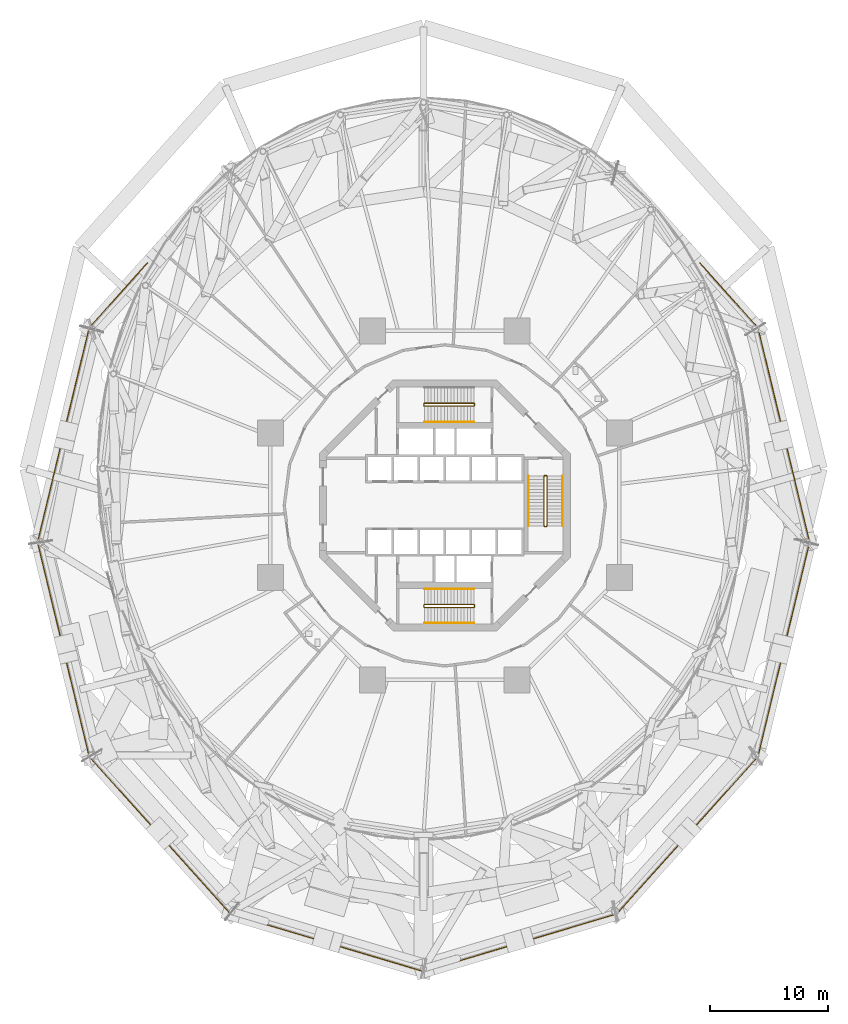
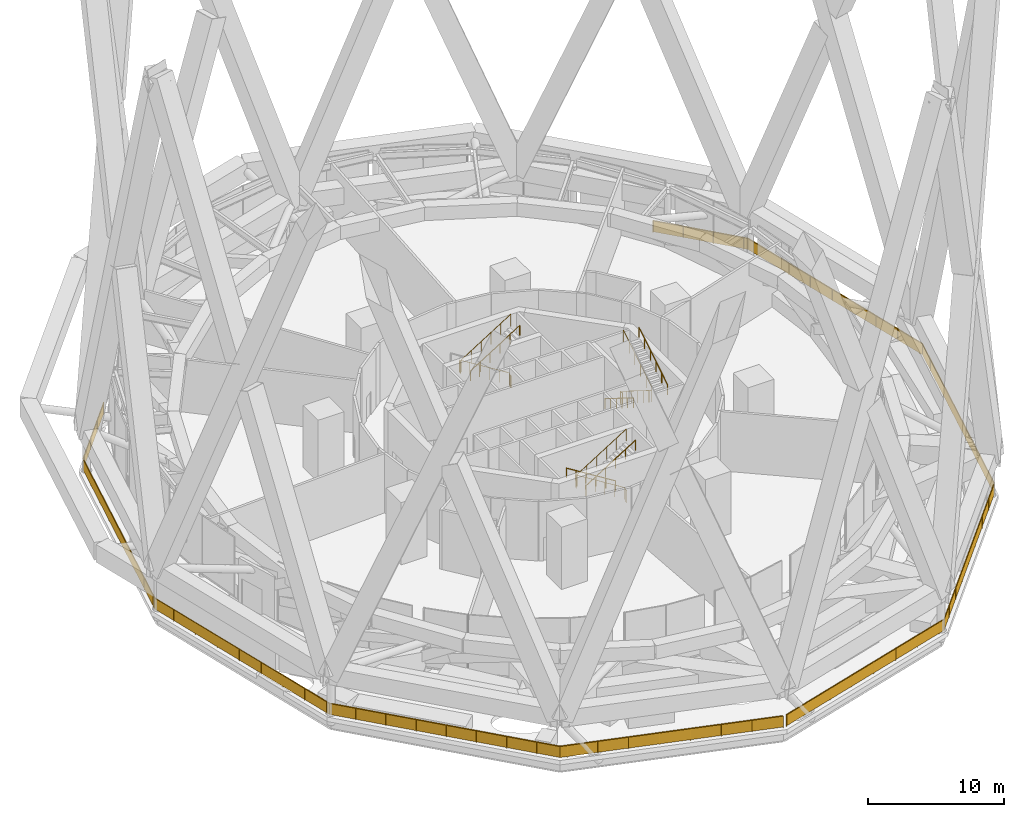
# One storey, part 63 of 65: 10 railings.
"""IFC4 building model written with IfcOpenShell, lengths in metres."""

from ifc_helpers import new_model, si_unit, direction, frame, origin, origin_2d, place, context, subcontext, project, spatial, polyline, rectangle, circle, outline, extrude, material, type_object, element, save


model = new_model("IFC4")

# Units and contexts
model_context = context("Model", 3, precision=1e-05, world=origin(), true_north=direction((0.0, 1.0)))
body_context = subcontext(model_context, "Body", "Model", "MODEL_VIEW")
ifc_project = project(units=[si_unit("LENGTHUNIT", "METRE"), si_unit("AREAUNIT", "SQUARE_METRE"), si_unit("VOLUMEUNIT", "CUBIC_METRE"), si_unit("PLANEANGLEUNIT", "RADIAN"), si_unit("MASSUNIT", "GRAM", prefix="KILO")], contexts=[model_context])

# Site, building, storey
site_placement = place(None, origin())
site = spatial("IfcSite", under=ifc_project, at=site_placement, CompositionType="ELEMENT")
building_placement = place(site_placement, origin())
building = spatial("IfcBuilding", under=site, at=building_placement, Name="Nagisa Residences", CompositionType="ELEMENT")
storey_placement = place(building_placement, frame((0.0, 0.0, 114.0)))
storey = spatial("IfcBuildingStorey", under=building, at=storey_placement, Name="L28", CompositionType="ELEMENT", Elevation=114.0)

# Railings
ifc_material_1 = material(Name="Stainless steel 316", Category="steel")
railing_type_1 = type_object("IfcRailingType", Name="ROOF GUARD 1100", PredefinedType="GUARDRAIL", material=ifc_material_1)
railing_1_placement = place(storey_placement, frame((-1.94384765625, -39.4306640625, 0.0)))
element("IfcRailing", 1, at=railing_1_placement, inside=storey, type_object=railing_type_1, Name="guard:L28:deck00-0", PredefinedType="GUARDRAIL", context=body_context, shape_type="SweptSolid", body=[
    extrude(outline(polyline([(-16.2265625, 4.812255859375), (-0.007080078125, -0.02392578125), (0.007080078125, 0.02392578125), (-16.19873046875, 4.856201171875), (-28.15087890625, 18.157470703125), (-32.522705078125, 36.31298828125), (-28.15087890625, 54.468505859375), (-23.2373046875, 59.936767578125), (-23.2744140625, 59.970458984375), (-28.19677734375, 54.492431640625), (-32.573974609375, 36.31298828125), (-28.19677734375, 18.133544921875), (-16.2265625, 4.812255859375)])), frame((0.0, 0.0, 1.050048828125)), (0.0, 0.0, 1.0), 0.050048828125),
    extrude(outline(polyline([(-16.216552734375, 4.828125), (-0.001953125, -0.006591796875), (0.001953125, 0.006591796875), (-16.208740234375, 4.84033203125), (-28.16748046875, 18.14892578125), (-32.541259765625, 36.31298828125), (-28.16748046875, 54.47705078125), (-23.250732421875, 59.948974609375), (-23.260986328125, 59.958251953125), (-28.18017578125, 54.48388671875), (-32.555419921875, 36.31298828125), (-28.18017578125, 18.14208984375), (-16.216552734375, 4.828125)])), frame((0.0, 0.0, 0.06005859375)), (0.0, 0.0, 1.0), 0.989990234375),
    extrude(rectangle(XDim=0.0400390625, YDim=0.0400390625, at=origin_2d()), origin(), (0.0, 0.0, 1.0), 1.050048828125),
    extrude(rectangle(XDim=0.0400390625, YDim=0.0400390625, at=origin_2d()), frame((-2.241943359375, 0.66845703125, 0.0)), (0.0, 0.0, 1.0), 1.050048828125),
    extrude(rectangle(XDim=0.0400390625, YDim=0.0400390625, at=origin_2d()), frame((-4.484130859375, 1.337158203125, 0.0)), (0.0, 0.0, 1.0), 1.050048828125),
    extrude(rectangle(XDim=0.0400390625, YDim=0.0400390625, at=origin_2d()), frame((-6.72607421875, 2.005615234375, 0.0)), (0.0, 0.0, 1.0), 1.050048828125),
    extrude(rectangle(XDim=0.0400390625, YDim=0.0400390625, at=origin_2d()), frame((-8.968017578125, 2.674072265625, 0.0)), (0.0, 0.0, 1.0), 1.050048828125),
    extrude(rectangle(XDim=0.0400390625, YDim=0.0400390625, at=origin_2d()), frame((-11.210205078125, 3.342529296875, 0.0)), (0.0, 0.0, 1.0), 1.050048828125),
    extrude(rectangle(XDim=0.0400390625, YDim=0.0400390625, at=origin_2d()), frame((-13.4521484375, 4.01123046875, 0.0)), (0.0, 0.0, 1.0), 1.050048828125),
    extrude(rectangle(XDim=0.0400390625, YDim=0.0400390625, at=origin_2d()), frame((-15.694091796875, 4.6796875, 0.0)), (0.0, 0.0, 1.0), 1.050048828125),
    extrude(rectangle(XDim=0.0400390625, YDim=0.0400390625, at=origin_2d()), frame((-17.414794921875, 6.172119140625, 0.0)), (0.0, 0.0, 1.0), 1.050048828125),
    extrude(rectangle(XDim=0.0400390625, YDim=0.0400390625, at=origin_2d()), frame((-18.978515625, 7.912353515625, 0.0)), (0.0, 0.0, 1.0), 1.050048828125),
    extrude(rectangle(XDim=0.0400390625, YDim=0.0400390625, at=origin_2d()), frame((-20.542236328125, 9.65234375, 0.0)), (0.0, 0.0, 1.0), 1.050048828125),
    extrude(rectangle(XDim=0.0400390625, YDim=0.0400390625, at=origin_2d()), frame((-22.10595703125, 11.392578125, 0.0)), (0.0, 0.0, 1.0), 1.050048828125),
    extrude(rectangle(XDim=0.0400390625, YDim=0.0400390625, at=origin_2d()), frame((-23.669677734375, 13.1328125, 0.0)), (0.0, 0.0, 1.0), 1.050048828125),
    extrude(rectangle(XDim=0.0400390625, YDim=0.0400390625, at=origin_2d()), frame((-25.2333984375, 14.873046875, 0.0)), (0.0, 0.0, 1.0), 1.050048828125),
    extrude(rectangle(XDim=0.0400390625, YDim=0.0400390625, at=origin_2d()), frame((-26.797119140625, 16.61328125, 0.0)), (0.0, 0.0, 1.0), 1.050048828125),
    extrude(rectangle(XDim=0.0400390625, YDim=0.0400390625, at=origin_2d()), frame((-28.2392578125, 18.41748046875, 0.0)), (0.0, 0.0, 1.0), 1.050048828125),
    extrude(rectangle(XDim=0.0400390625, YDim=0.0400390625, at=origin_2d()), frame((-28.787109375, 20.69189453125, 0.0)), (0.0, 0.0, 1.0), 1.050048828125),
    extrude(rectangle(XDim=0.0400390625, YDim=0.0400390625, at=origin_2d()), frame((-29.334716796875, 22.966552734375, 0.0)), (0.0, 0.0, 1.0), 1.050048828125),
    extrude(rectangle(XDim=0.0400390625, YDim=0.0400390625, at=origin_2d()), frame((-29.88232421875, 25.2412109375, 0.0)), (0.0, 0.0, 1.0), 1.050048828125),
    extrude(rectangle(XDim=0.0400390625, YDim=0.0400390625, at=origin_2d()), frame((-30.43017578125, 27.515625, 0.0)), (0.0, 0.0, 1.0), 1.050048828125),
    extrude(rectangle(XDim=0.0400390625, YDim=0.0400390625, at=origin_2d()), frame((-30.977783203125, 29.790283203125, 0.0)), (0.0, 0.0, 1.0), 1.050048828125),
    extrude(rectangle(XDim=0.0400390625, YDim=0.0400390625, at=origin_2d()), frame((-31.525390625, 32.06494140625, 0.0)), (0.0, 0.0, 1.0), 1.050048828125),
    extrude(rectangle(XDim=0.0400390625, YDim=0.0400390625, at=origin_2d()), frame((-32.072998046875, 34.33935546875, 0.0)), (0.0, 0.0, 1.0), 1.050048828125),
    extrude(rectangle(XDim=0.0400390625, YDim=0.0400390625, at=origin_2d()), frame((-32.475830078125, 36.614013671875, 0.0)), (0.0, 0.0, 1.0), 1.050048828125),
    extrude(rectangle(XDim=0.0400390625, YDim=0.0400390625, at=origin_2d()), frame((-31.92822265625, 38.888427734375, 0.0)), (0.0, 0.0, 1.0), 1.050048828125),
    extrude(rectangle(XDim=0.0400390625, YDim=0.0400390625, at=origin_2d()), frame((-31.380615234375, 41.1630859375, 0.0)), (0.0, 0.0, 1.0), 1.050048828125),
    extrude(rectangle(XDim=0.0400390625, YDim=0.0400390625, at=origin_2d()), frame((-30.832763671875, 43.437744140625, 0.0)), (0.0, 0.0, 1.0), 1.050048828125),
    extrude(rectangle(XDim=0.0400390625, YDim=0.0400390625, at=origin_2d()), frame((-30.28515625, 45.712158203125, 0.0)), (0.0, 0.0, 1.0), 1.050048828125),
    extrude(rectangle(XDim=0.0400390625, YDim=0.0400390625, at=origin_2d()), frame((-29.737548828125, 47.98681640625, 0.0)), (0.0, 0.0, 1.0), 1.050048828125),
    extrude(rectangle(XDim=0.0400390625, YDim=0.0400390625, at=origin_2d()), frame((-29.189697265625, 50.26123046875, 0.0)), (0.0, 0.0, 1.0), 1.050048828125),
    extrude(rectangle(XDim=0.0400390625, YDim=0.0400390625, at=origin_2d()), frame((-28.64208984375, 52.535888671875, 0.0)), (0.0, 0.0, 1.0), 1.050048828125),
    extrude(rectangle(XDim=0.0400390625, YDim=0.0400390625, at=origin_2d()), frame((-27.947021484375, 54.73291015625, 0.0)), (0.0, 0.0, 1.0), 1.050048828125),
    extrude(rectangle(XDim=0.0400390625, YDim=0.0400390625, at=origin_2d()), frame((-26.38330078125, 56.47314453125, 0.0)), (0.0, 0.0, 1.0), 1.050048828125),
    extrude(rectangle(XDim=0.0400390625, YDim=0.0400390625, at=origin_2d()), frame((-24.819580078125, 58.21337890625, 0.0)), (0.0, 0.0, 1.0), 1.050048828125),
    extrude(rectangle(XDim=0.0400390625, YDim=0.0400390625, at=origin_2d()), frame((-23.255859375, 59.95361328125, 0.0)), (0.0, 0.0, 1.0), 1.050048828125),
])
railing_2_placement = place(storey_placement, frame((21.599609375, 20.52294921875, 0.0)))
element("IfcRailing", 2, at=railing_2_placement, inside=storey, type_object=railing_type_1, Name="guard:L28:deck01-0", PredefinedType="GUARDRAIL", context=body_context, shape_type="SweptSolid", body=[
    extrude(outline(polyline([(4.941162109375, -5.461181640625), (0.0185546875, 0.016845703125), (-0.0185546875, -0.016845703125), (4.895263671875, -5.485107421875), (9.266845703125, -23.640625), (4.895263671875, -41.796142578125), (-7.05712890625, -55.097412109375), (-23.262939453125, -59.9296875), (-23.248779296875, -59.9775390625), (-7.029296875, -55.141357421875), (4.941162109375, -41.820068359375), (9.318115234375, -23.640625), (4.941162109375, -5.461181640625)])), frame((0.0, 0.0, 1.050048828125)), (0.0, 0.0, 1.0), 0.050048828125),
    extrude(outline(polyline([(4.924560546875, -5.4697265625), (0.005126953125, 0.004638671875), (-0.005126953125, -0.004638671875), (4.911865234375, -5.4765625), (9.285400390625, -23.640625), (4.911865234375, -41.8046875), (-7.047119140625, -55.11328125), (-23.2578125, -59.947021484375), (-23.25390625, -59.960205078125), (-7.039306640625, -55.12548828125), (4.924560546875, -41.8115234375), (9.299560546875, -23.640625), (4.924560546875, -5.4697265625)])), frame((0.0, 0.0, 0.06005859375)), (0.0, 0.0, 1.0), 0.989990234375),
    extrude(rectangle(XDim=0.0400390625, YDim=0.0400390625, at=origin_2d()), origin(), (0.0, 0.0, 1.0), 1.050048828125),
    extrude(rectangle(XDim=0.0400390625, YDim=0.0400390625, at=origin_2d()), frame((1.563720703125, -1.740234375, 0.0)), (0.0, 0.0, 1.0), 1.050048828125),
    extrude(rectangle(XDim=0.0400390625, YDim=0.0400390625, at=origin_2d()), frame((3.12744140625, -3.48046875, 0.0)), (0.0, 0.0, 1.0), 1.050048828125),
    extrude(rectangle(XDim=0.0400390625, YDim=0.0400390625, at=origin_2d()), frame((4.691162109375, -5.220703125, 0.0)), (0.0, 0.0, 1.0), 1.050048828125),
    extrude(rectangle(XDim=0.0400390625, YDim=0.0400390625, at=origin_2d()), frame((5.386474609375, -7.417724609375, 0.0)), (0.0, 0.0, 1.0), 1.050048828125),
    extrude(rectangle(XDim=0.0400390625, YDim=0.0400390625, at=origin_2d()), frame((5.93408203125, -9.692138671875, 0.0)), (0.0, 0.0, 1.0), 1.050048828125),
    extrude(rectangle(XDim=0.0400390625, YDim=0.0400390625, at=origin_2d()), frame((6.481689453125, -11.966796875, 0.0)), (0.0, 0.0, 1.0), 1.050048828125),
    extrude(rectangle(XDim=0.0400390625, YDim=0.0400390625, at=origin_2d()), frame((7.029296875, -14.241455078125, 0.0)), (0.0, 0.0, 1.0), 1.050048828125),
    extrude(rectangle(XDim=0.0400390625, YDim=0.0400390625, at=origin_2d()), frame((7.5771484375, -16.515869140625, 0.0)), (0.0, 0.0, 1.0), 1.050048828125),
    extrude(rectangle(XDim=0.0400390625, YDim=0.0400390625, at=origin_2d()), frame((8.124755859375, -18.79052734375, 0.0)), (0.0, 0.0, 1.0), 1.050048828125),
    extrude(rectangle(XDim=0.0400390625, YDim=0.0400390625, at=origin_2d()), frame((8.67236328125, -21.06494140625, 0.0)), (0.0, 0.0, 1.0), 1.050048828125),
    extrude(rectangle(XDim=0.0400390625, YDim=0.0400390625, at=origin_2d()), frame((9.219970703125, -23.339599609375, 0.0)), (0.0, 0.0, 1.0), 1.050048828125),
    extrude(rectangle(XDim=0.0400390625, YDim=0.0400390625, at=origin_2d()), frame((8.8173828125, -25.6142578125, 0.0)), (0.0, 0.0, 1.0), 1.050048828125),
    extrude(rectangle(XDim=0.0400390625, YDim=0.0400390625, at=origin_2d()), frame((8.26953125, -27.888671875, 0.0)), (0.0, 0.0, 1.0), 1.050048828125),
    extrude(rectangle(XDim=0.0400390625, YDim=0.0400390625, at=origin_2d()), frame((7.721923828125, -30.163330078125, 0.0)), (0.0, 0.0, 1.0), 1.050048828125),
    extrude(rectangle(XDim=0.0400390625, YDim=0.0400390625, at=origin_2d()), frame((7.17431640625, -32.43798828125, 0.0)), (0.0, 0.0, 1.0), 1.050048828125),
    extrude(rectangle(XDim=0.0400390625, YDim=0.0400390625, at=origin_2d()), frame((6.626708984375, -34.71240234375, 0.0)), (0.0, 0.0, 1.0), 1.050048828125),
    extrude(rectangle(XDim=0.0400390625, YDim=0.0400390625, at=origin_2d()), frame((6.0791015625, -36.987060546875, 0.0)), (0.0, 0.0, 1.0), 1.050048828125),
    extrude(rectangle(XDim=0.0400390625, YDim=0.0400390625, at=origin_2d()), frame((5.53125, -39.26171875, 0.0)), (0.0, 0.0, 1.0), 1.050048828125),
    extrude(rectangle(XDim=0.0400390625, YDim=0.0400390625, at=origin_2d()), frame((4.983642578125, -41.5361328125, 0.0)), (0.0, 0.0, 1.0), 1.050048828125),
    extrude(rectangle(XDim=0.0400390625, YDim=0.0400390625, at=origin_2d()), frame((3.54150390625, -43.34033203125, 0.0)), (0.0, 0.0, 1.0), 1.050048828125),
    extrude(rectangle(XDim=0.0400390625, YDim=0.0400390625, at=origin_2d()), frame((1.9775390625, -45.08056640625, 0.0)), (0.0, 0.0, 1.0), 1.050048828125),
    extrude(rectangle(XDim=0.0400390625, YDim=0.0400390625, at=origin_2d()), frame((0.413818359375, -46.82080078125, 0.0)), (0.0, 0.0, 1.0), 1.050048828125),
    extrude(rectangle(XDim=0.0400390625, YDim=0.0400390625, at=origin_2d()), frame((-1.14990234375, -48.56103515625, 0.0)), (0.0, 0.0, 1.0), 1.050048828125),
    extrude(rectangle(XDim=0.0400390625, YDim=0.0400390625, at=origin_2d()), frame((-2.713623046875, -50.30126953125, 0.0)), (0.0, 0.0, 1.0), 1.050048828125),
    extrude(rectangle(XDim=0.0400390625, YDim=0.0400390625, at=origin_2d()), frame((-4.27734375, -52.041259765625, 0.0)), (0.0, 0.0, 1.0), 1.050048828125),
    extrude(rectangle(XDim=0.0400390625, YDim=0.0400390625, at=origin_2d()), frame((-5.841064453125, -53.781494140625, 0.0)), (0.0, 0.0, 1.0), 1.050048828125),
    extrude(rectangle(XDim=0.0400390625, YDim=0.0400390625, at=origin_2d()), frame((-7.561767578125, -55.27392578125, 0.0)), (0.0, 0.0, 1.0), 1.050048828125),
    extrude(rectangle(XDim=0.0400390625, YDim=0.0400390625, at=origin_2d()), frame((-9.8037109375, -55.9423828125, 0.0)), (0.0, 0.0, 1.0), 1.050048828125),
    extrude(rectangle(XDim=0.0400390625, YDim=0.0400390625, at=origin_2d()), frame((-12.045654296875, -56.611083984375, 0.0)), (0.0, 0.0, 1.0), 1.050048828125),
    extrude(rectangle(XDim=0.0400390625, YDim=0.0400390625, at=origin_2d()), frame((-14.287841796875, -57.279541015625, 0.0)), (0.0, 0.0, 1.0), 1.050048828125),
    extrude(rectangle(XDim=0.0400390625, YDim=0.0400390625, at=origin_2d()), frame((-16.52978515625, -57.947998046875, 0.0)), (0.0, 0.0, 1.0), 1.050048828125),
    extrude(rectangle(XDim=0.0400390625, YDim=0.0400390625, at=origin_2d()), frame((-18.771728515625, -58.616455078125, 0.0)), (0.0, 0.0, 1.0), 1.050048828125),
    extrude(rectangle(XDim=0.0400390625, YDim=0.0400390625, at=origin_2d()), frame((-21.013916015625, -59.28515625, 0.0)), (0.0, 0.0, 1.0), 1.050048828125),
    extrude(rectangle(XDim=0.0400390625, YDim=0.0400390625, at=origin_2d()), frame((-23.255859375, -59.95361328125, 0.0)), (0.0, 0.0, 1.0), 1.050048828125),
])
ifc_material_2 = material(Name="Stainless steel", Category="steel")
railing_type_2 = type_object("IfcRailingType", Name="Stair guard 1100", PredefinedType="GUARDRAIL", material=ifc_material_2)
railing_3_placement = place(storey_placement, frame((8.599609375, 2.52490234375, 0.0)))
element("IfcRailing", 3, at=railing_3_placement, inside=storey, type_object=railing_type_2, Name="L28 ST-E stair guard 1", PredefinedType="GUARDRAIL", context=body_context, shape_type="SweptSolid", body=[
    extrude(circle(Radius=0.02392578125, at=origin_2d()), frame((0.0, 0.0, 1.076171875), z_axis=(-1.0, 0.0, 0.0), x_axis=(0.0, -1.0, 0.0)), (0.0, 0.0, 1.0), 0.14990234375),
    extrude(circle(Radius=0.02392578125, at=origin_2d()), frame((-0.14990234375, 0.0, 1.076171875), z_axis=(-0.265155923931, -0.263862480399, 0.927399011991), x_axis=(0.705375805398, -0.708833529934, 0.0)), (0.0, 0.0, 1.0), 0.188720703125),
    extrude(circle(Radius=0.02392578125, at=origin_2d()), frame((-0.199951171875, -0.0498046875, 1.2509765625), z_axis=(0.0, -0.848009380541, 0.529981217134), x_axis=(1.0, 0.0, 0.0)), (0.0, 0.0, 1.0), 4.953125),
    extrude(circle(Radius=0.02392578125, at=origin_2d()), frame((-0.199951171875, -4.25, 3.8759765625), z_axis=(0.708833529934, -0.705375805398, 0.0), x_axis=(0.705375805398, 0.708833529934, 0.0)), (0.0, 0.0, 1.0), 0.070556640625),
    extrude(circle(Radius=0.02392578125, at=origin_2d()), frame((-0.14990234375, -4.2998046875, 3.8759765625), z_axis=(1.0, 0.0, 0.0), x_axis=(0.0, 1.0, 0.0)), (0.0, 0.0, 1.0), 0.14990234375),
    extrude(circle(Radius=0.02392578125, at=origin_2d()), frame((0.0, -4.2998046875, 3.8759765625), z_axis=(0.265155923931, 0.263862480399, 0.927399011991), x_axis=(-0.705375805398, 0.708833529934, 0.0)), (0.0, 0.0, 1.0), 0.188720703125),
    extrude(circle(Radius=0.02392578125, at=origin_2d()), frame((0.050048828125, -4.25, 4.05126953125), z_axis=(0.0, 0.848009380541, 0.529981217134), x_axis=(-1.0, 0.0, 0.0)), (0.0, 0.0, 1.0), 4.953125),
    extrude(circle(Radius=0.02099609375, at=origin_2d()), origin(), (0.0, 0.0, 1.0), 1.052001953125),
    extrude(circle(Radius=0.02099609375, at=origin_2d()), frame((-0.14990234375, 0.0, 0.0)), (0.0, 0.0, 1.0), 1.052001953125),
    extrude(circle(Radius=0.02099609375, at=origin_2d()), frame((-0.199951171875, -0.0498046875, 0.175048828125)), (0.0, 0.0, 1.0), 1.052001953125),
    extrude(circle(Radius=0.02099609375, at=origin_2d()), frame((-0.199951171875, -0.889892578125, 0.699951171875)), (0.0, 0.0, 1.0), 1.052001953125),
    extrude(circle(Radius=0.02099609375, at=origin_2d()), frame((-0.199951171875, -1.72998046875, 1.22509765625)), (0.0, 0.0, 1.0), 1.052001953125),
    extrude(circle(Radius=0.02099609375, at=origin_2d()), frame((-0.199951171875, -2.56982421875, 1.75)), (0.0, 0.0, 1.0), 1.052001953125),
    extrude(circle(Radius=0.02099609375, at=origin_2d()), frame((-0.199951171875, -3.409912109375, 2.275146484375)), (0.0, 0.0, 1.0), 1.052001953125),
    extrude(circle(Radius=0.02099609375, at=origin_2d()), frame((-0.199951171875, -4.25, 2.800048828125)), (0.0, 0.0, 1.0), 1.052001953125),
    extrude(circle(Radius=0.02099609375, at=origin_2d()), frame((-0.14990234375, -4.2998046875, 2.800048828125)), (0.0, 0.0, 1.0), 1.052001953125),
    extrude(circle(Radius=0.02099609375, at=origin_2d()), frame((0.0, -4.2998046875, 2.800048828125)), (0.0, 0.0, 1.0), 1.052001953125),
    extrude(circle(Radius=0.02099609375, at=origin_2d()), frame((0.050048828125, -4.25, 2.97509765625)), (0.0, 0.0, 1.0), 1.052001953125),
    extrude(circle(Radius=0.02099609375, at=origin_2d()), frame((0.050048828125, -3.409912109375, 3.5)), (0.0, 0.0, 1.0), 1.052001953125),
    extrude(circle(Radius=0.02099609375, at=origin_2d()), frame((0.050048828125, -2.56982421875, 4.025146484375)), (0.0, 0.0, 1.0), 1.052001953125),
    extrude(circle(Radius=0.02099609375, at=origin_2d()), frame((0.050048828125, -1.72998046875, 4.550048828125)), (0.0, 0.0, 1.0), 1.052001953125),
    extrude(circle(Radius=0.02099609375, at=origin_2d()), frame((0.050048828125, -0.889892578125, 5.0751953125)), (0.0, 0.0, 1.0), 1.052001953125),
    extrude(circle(Radius=0.02099609375, at=origin_2d()), frame((0.050048828125, -0.0498046875, 5.60009765625)), (0.0, 0.0, 1.0), 1.052001953125),
])
railing_4_placement = place(storey_placement, frame((2.52490234375, 8.44970703125, 0.0)))
element("IfcRailing", 4, at=railing_4_placement, inside=storey, type_object=railing_type_2, Name="L28 ST-N stair guard 1", PredefinedType="GUARDRAIL", context=body_context, shape_type="SweptSolid", body=[
    extrude(circle(Radius=0.02392578125, at=origin_2d()), frame((0.0, 0.0, 1.076171875), z_axis=(0.0, 1.0, 0.0), x_axis=(-1.0, 0.0, 0.0)), (0.0, 0.0, 1.0), 0.14990234375),
    extrude(circle(Radius=0.02392578125, at=origin_2d()), frame((0.0, 0.14990234375, 1.076171875), z_axis=(-0.263862480399, 0.265155923931, 0.927399011991), x_axis=(-0.708833529934, -0.705375805398, 0.0)), (0.0, 0.0, 1.0), 0.188720703125),
    extrude(circle(Radius=0.02392578125, at=origin_2d()), frame((-0.0498046875, 0.199951171875, 1.2509765625), z_axis=(-0.848009380541, 0.0, 0.529981217134), x_axis=(0.0, -1.0, 0.0)), (0.0, 0.0, 1.0), 4.953125),
    extrude(circle(Radius=0.02392578125, at=origin_2d()), frame((-4.25, 0.199951171875, 3.8759765625), z_axis=(-0.705375805398, -0.708833529934, 0.0), x_axis=(0.708833529934, -0.705375805398, 0.0)), (0.0, 0.0, 1.0), 0.070556640625),
    extrude(circle(Radius=0.02392578125, at=origin_2d()), frame((-4.2998046875, 0.14990234375, 3.8759765625), z_axis=(0.0, -1.0, 0.0), x_axis=(1.0, 0.0, 0.0)), (0.0, 0.0, 1.0), 0.14990234375),
    extrude(circle(Radius=0.02392578125, at=origin_2d()), frame((-4.2998046875, 0.0, 3.8759765625), z_axis=(0.263862480399, -0.265155923931, 0.927399011991), x_axis=(0.708833529934, 0.705375805398, 0.0)), (0.0, 0.0, 1.0), 0.188720703125),
    extrude(circle(Radius=0.02392578125, at=origin_2d()), frame((-4.25, -0.050048828125, 4.05126953125), z_axis=(0.848009380541, 0.0, 0.529981217134), x_axis=(0.0, 1.0, 0.0)), (0.0, 0.0, 1.0), 4.953125),
    extrude(circle(Radius=0.02099609375, at=origin_2d()), origin(), (0.0, 0.0, 1.0), 1.052001953125),
    extrude(circle(Radius=0.02099609375, at=origin_2d()), frame((0.0, 0.14990234375, 0.0)), (0.0, 0.0, 1.0), 1.052001953125),
    extrude(circle(Radius=0.02099609375, at=origin_2d()), frame((-0.0498046875, 0.199951171875, 0.175048828125)), (0.0, 0.0, 1.0), 1.052001953125),
    extrude(circle(Radius=0.02099609375, at=origin_2d()), frame((-0.889892578125, 0.199951171875, 0.699951171875)), (0.0, 0.0, 1.0), 1.052001953125),
    extrude(circle(Radius=0.02099609375, at=origin_2d()), frame((-1.72998046875, 0.199951171875, 1.22509765625)), (0.0, 0.0, 1.0), 1.052001953125),
    extrude(circle(Radius=0.02099609375, at=origin_2d()), frame((-2.56982421875, 0.199951171875, 1.75)), (0.0, 0.0, 1.0), 1.052001953125),
    extrude(circle(Radius=0.02099609375, at=origin_2d()), frame((-3.409912109375, 0.199951171875, 2.275146484375)), (0.0, 0.0, 1.0), 1.052001953125),
    extrude(circle(Radius=0.02099609375, at=origin_2d()), frame((-4.25, 0.199951171875, 2.800048828125)), (0.0, 0.0, 1.0), 1.052001953125),
    extrude(circle(Radius=0.02099609375, at=origin_2d()), frame((-4.2998046875, 0.14990234375, 2.800048828125)), (0.0, 0.0, 1.0), 1.052001953125),
    extrude(circle(Radius=0.02099609375, at=origin_2d()), frame((-4.2998046875, 0.0, 2.800048828125)), (0.0, 0.0, 1.0), 1.052001953125),
    extrude(circle(Radius=0.02099609375, at=origin_2d()), frame((-4.25, -0.050048828125, 2.97509765625)), (0.0, 0.0, 1.0), 1.052001953125),
    extrude(circle(Radius=0.02099609375, at=origin_2d()), frame((-3.409912109375, -0.050048828125, 3.5)), (0.0, 0.0, 1.0), 1.052001953125),
    extrude(circle(Radius=0.02099609375, at=origin_2d()), frame((-2.56982421875, -0.050048828125, 4.025146484375)), (0.0, 0.0, 1.0), 1.052001953125),
    extrude(circle(Radius=0.02099609375, at=origin_2d()), frame((-1.72998046875, -0.050048828125, 4.550048828125)), (0.0, 0.0, 1.0), 1.052001953125),
    extrude(circle(Radius=0.02099609375, at=origin_2d()), frame((-0.889892578125, -0.050048828125, 5.0751953125)), (0.0, 0.0, 1.0), 1.052001953125),
    extrude(circle(Radius=0.02099609375, at=origin_2d()), frame((-0.0498046875, -0.050048828125, 5.60009765625)), (0.0, 0.0, 1.0), 1.052001953125),
])
railing_5_placement = place(storey_placement, frame((2.52490234375, -8.599609375, 0.0)))
element("IfcRailing", 5, at=railing_5_placement, inside=storey, type_object=railing_type_2, Name="L28 ST-S stair guard 1", PredefinedType="GUARDRAIL", context=body_context, shape_type="SweptSolid", body=[
    extrude(circle(Radius=0.02392578125, at=origin_2d()), frame((0.0, 0.0, 1.076171875), z_axis=(0.0, 1.0, 0.0), x_axis=(-1.0, 0.0, 0.0)), (0.0, 0.0, 1.0), 0.14990234375),
    extrude(circle(Radius=0.02392578125, at=origin_2d()), frame((0.0, 0.14990234375, 1.076171875), z_axis=(-0.263862480399, 0.265155923931, 0.927399011991), x_axis=(-0.708833529934, -0.705375805398, 0.0)), (0.0, 0.0, 1.0), 0.188720703125),
    extrude(circle(Radius=0.02392578125, at=origin_2d()), frame((-0.0498046875, 0.199951171875, 1.2509765625), z_axis=(-0.848009380541, 0.0, 0.529981217134), x_axis=(0.0, -1.0, 0.0)), (0.0, 0.0, 1.0), 4.953125),
    extrude(circle(Radius=0.02392578125, at=origin_2d()), frame((-4.25, 0.199951171875, 3.8759765625), z_axis=(-0.705375805398, -0.708833529934, 0.0), x_axis=(0.708833529934, -0.705375805398, 0.0)), (0.0, 0.0, 1.0), 0.070556640625),
    extrude(circle(Radius=0.02392578125, at=origin_2d()), frame((-4.2998046875, 0.14990234375, 3.8759765625), z_axis=(0.0, -1.0, 0.0), x_axis=(1.0, 0.0, 0.0)), (0.0, 0.0, 1.0), 0.14990234375),
    extrude(circle(Radius=0.02392578125, at=origin_2d()), frame((-4.2998046875, 0.0, 3.8759765625), z_axis=(0.263862480399, -0.265155923931, 0.927399011991), x_axis=(0.708833529934, 0.705375805398, 0.0)), (0.0, 0.0, 1.0), 0.188720703125),
    extrude(circle(Radius=0.02392578125, at=origin_2d()), frame((-4.25, -0.050048828125, 4.05126953125), z_axis=(0.848009380541, 0.0, 0.529981217134), x_axis=(0.0, 1.0, 0.0)), (0.0, 0.0, 1.0), 4.953125),
    extrude(circle(Radius=0.02099609375, at=origin_2d()), origin(), (0.0, 0.0, 1.0), 1.052001953125),
    extrude(circle(Radius=0.02099609375, at=origin_2d()), frame((0.0, 0.14990234375, 0.0)), (0.0, 0.0, 1.0), 1.052001953125),
    extrude(circle(Radius=0.02099609375, at=origin_2d()), frame((-0.0498046875, 0.199951171875, 0.175048828125)), (0.0, 0.0, 1.0), 1.052001953125),
    extrude(circle(Radius=0.02099609375, at=origin_2d()), frame((-0.889892578125, 0.199951171875, 0.699951171875)), (0.0, 0.0, 1.0), 1.052001953125),
    extrude(circle(Radius=0.02099609375, at=origin_2d()), frame((-1.72998046875, 0.199951171875, 1.22509765625)), (0.0, 0.0, 1.0), 1.052001953125),
    extrude(circle(Radius=0.02099609375, at=origin_2d()), frame((-2.56982421875, 0.199951171875, 1.75)), (0.0, 0.0, 1.0), 1.052001953125),
    extrude(circle(Radius=0.02099609375, at=origin_2d()), frame((-3.409912109375, 0.199951171875, 2.275146484375)), (0.0, 0.0, 1.0), 1.052001953125),
    extrude(circle(Radius=0.02099609375, at=origin_2d()), frame((-4.25, 0.199951171875, 2.800048828125)), (0.0, 0.0, 1.0), 1.052001953125),
    extrude(circle(Radius=0.02099609375, at=origin_2d()), frame((-4.2998046875, 0.14990234375, 2.800048828125)), (0.0, 0.0, 1.0), 1.052001953125),
    extrude(circle(Radius=0.02099609375, at=origin_2d()), frame((-4.2998046875, 0.0, 2.800048828125)), (0.0, 0.0, 1.0), 1.052001953125),
    extrude(circle(Radius=0.02099609375, at=origin_2d()), frame((-4.25, -0.050048828125, 2.97509765625)), (0.0, 0.0, 1.0), 1.052001953125),
    extrude(circle(Radius=0.02099609375, at=origin_2d()), frame((-3.409912109375, -0.050048828125, 3.5)), (0.0, 0.0, 1.0), 1.052001953125),
    extrude(circle(Radius=0.02099609375, at=origin_2d()), frame((-2.56982421875, -0.050048828125, 4.025146484375)), (0.0, 0.0, 1.0), 1.052001953125),
    extrude(circle(Radius=0.02099609375, at=origin_2d()), frame((-1.72998046875, -0.050048828125, 4.550048828125)), (0.0, 0.0, 1.0), 1.052001953125),
    extrude(circle(Radius=0.02099609375, at=origin_2d()), frame((-0.889892578125, -0.050048828125, 5.0751953125)), (0.0, 0.0, 1.0), 1.052001953125),
    extrude(circle(Radius=0.02099609375, at=origin_2d()), frame((-0.0498046875, -0.050048828125, 5.60009765625)), (0.0, 0.0, 1.0), 1.052001953125),
])
ifc_material_3 = material(Name="Stainless steel", Category="steel")
railing_type_3 = type_object("IfcRailingType", Name="Stair handrail 900", PredefinedType="HANDRAIL", material=ifc_material_3)
railing_6_placement = place(storey_placement, frame((7.07470703125, 2.47509765625, 0.175048828125)))
element("IfcRailing", 6, at=railing_6_placement, inside=storey, type_object=railing_type_3, Name="L28 ST-E stair handrail 1", PredefinedType="HANDRAIL", context=body_context, shape_type="SweptSolid", body=[
    extrude(circle(Radius=0.02392578125, at=origin_2d()), frame((0.0, 0.0, 0.8759765625), z_axis=(0.0, -0.848009380541, 0.529981217134), x_axis=(1.0, 0.0, 0.0)), (0.0, 0.0, 1.0), 4.953125),
    extrude(circle(Radius=0.02099609375, at=origin_2d()), origin(), (0.0, 0.0, 1.0), 0.851806640625),
    extrude(circle(Radius=0.02099609375, at=origin_2d()), frame((0.0, -0.840087890625, 0.52490234375)), (0.0, 0.0, 1.0), 0.851806640625),
    extrude(circle(Radius=0.02099609375, at=origin_2d()), frame((0.0, -1.68017578125, 1.050048828125)), (0.0, 0.0, 1.0), 0.851806640625),
    extrude(circle(Radius=0.02099609375, at=origin_2d()), frame((0.0, -2.52001953125, 1.574951171875)), (0.0, 0.0, 1.0), 0.851806640625),
    extrude(circle(Radius=0.02099609375, at=origin_2d()), frame((0.0, -3.360107421875, 2.10009765625)), (0.0, 0.0, 1.0), 0.851806640625),
    extrude(circle(Radius=0.02099609375, at=origin_2d()), frame((0.0, -4.2001953125, 2.625)), (0.0, 0.0, 1.0), 0.851806640625),
])
railing_7_placement = place(storey_placement, frame((9.974609375, -1.72509765625, 2.97509765625)))
element("IfcRailing", 7, at=railing_7_placement, inside=storey, type_object=railing_type_3, Name="L28 ST-E stair handrail 2", PredefinedType="HANDRAIL", context=body_context, shape_type="SweptSolid", body=[
    extrude(circle(Radius=0.02392578125, at=origin_2d()), frame((0.0, 0.0, 0.8759765625), z_axis=(0.0, 0.848009380541, 0.529981217134), x_axis=(-1.0, 0.0, 0.0)), (0.0, 0.0, 1.0), 4.953125),
    extrude(circle(Radius=0.02099609375, at=origin_2d()), origin(), (0.0, 0.0, 1.0), 0.851806640625),
    extrude(circle(Radius=0.02099609375, at=origin_2d()), frame((0.0, 0.840087890625, 0.52490234375)), (0.0, 0.0, 1.0), 0.851806640625),
    extrude(circle(Radius=0.02099609375, at=origin_2d()), frame((0.0, 1.68017578125, 1.050048828125)), (0.0, 0.0, 1.0), 0.851806640625),
    extrude(circle(Radius=0.02099609375, at=origin_2d()), frame((0.0, 2.52001953125, 1.574951171875)), (0.0, 0.0, 1.0), 0.851806640625),
    extrude(circle(Radius=0.02099609375, at=origin_2d()), frame((0.0, 3.360107421875, 2.10009765625)), (0.0, 0.0, 1.0), 0.851806640625),
    extrude(circle(Radius=0.02099609375, at=origin_2d()), frame((0.0, 4.2001953125, 2.625)), (0.0, 0.0, 1.0), 0.851806640625),
])
railing_8_placement = place(storey_placement, frame((-1.72509765625, 7.07470703125, 2.97509765625)))
element("IfcRailing", 8, at=railing_8_placement, inside=storey, type_object=railing_type_3, Name="L28 ST-N stair handrail 2", PredefinedType="HANDRAIL", context=body_context, shape_type="SweptSolid", body=[
    extrude(circle(Radius=0.02392578125, at=origin_2d()), frame((0.0, 0.0, 0.8759765625), z_axis=(0.848009380541, 0.0, 0.529981217134), x_axis=(0.0, 1.0, 0.0)), (0.0, 0.0, 1.0), 4.953125),
    extrude(circle(Radius=0.02099609375, at=origin_2d()), origin(), (0.0, 0.0, 1.0), 0.851806640625),
    extrude(circle(Radius=0.02099609375, at=origin_2d()), frame((0.840087890625, 0.0, 0.52490234375)), (0.0, 0.0, 1.0), 0.851806640625),
    extrude(circle(Radius=0.02099609375, at=origin_2d()), frame((1.68017578125, 0.0, 1.050048828125)), (0.0, 0.0, 1.0), 0.851806640625),
    extrude(circle(Radius=0.02099609375, at=origin_2d()), frame((2.52001953125, 0.0, 1.574951171875)), (0.0, 0.0, 1.0), 0.851806640625),
    extrude(circle(Radius=0.02099609375, at=origin_2d()), frame((3.360107421875, 0.0, 2.10009765625)), (0.0, 0.0, 1.0), 0.851806640625),
    extrude(circle(Radius=0.02099609375, at=origin_2d()), frame((4.2001953125, 0.0, 2.625)), (0.0, 0.0, 1.0), 0.851806640625),
])
railing_9_placement = place(storey_placement, frame((2.47509765625, -7.07470703125, 0.175048828125)))
element("IfcRailing", 9, at=railing_9_placement, inside=storey, type_object=railing_type_3, Name="L28 ST-S stair handrail 1", PredefinedType="HANDRAIL", context=body_context, shape_type="SweptSolid", body=[
    extrude(circle(Radius=0.02392578125, at=origin_2d()), frame((0.0, 0.0, 0.8759765625), z_axis=(-0.848009380541, 0.0, 0.529981217134), x_axis=(0.0, -1.0, 0.0)), (0.0, 0.0, 1.0), 4.953125),
    extrude(circle(Radius=0.02099609375, at=origin_2d()), origin(), (0.0, 0.0, 1.0), 0.851806640625),
    extrude(circle(Radius=0.02099609375, at=origin_2d()), frame((-0.840087890625, 0.0, 0.52490234375)), (0.0, 0.0, 1.0), 0.851806640625),
    extrude(circle(Radius=0.02099609375, at=origin_2d()), frame((-1.68017578125, 0.0, 1.050048828125)), (0.0, 0.0, 1.0), 0.851806640625),
    extrude(circle(Radius=0.02099609375, at=origin_2d()), frame((-2.52001953125, 0.0, 1.574951171875)), (0.0, 0.0, 1.0), 0.851806640625),
    extrude(circle(Radius=0.02099609375, at=origin_2d()), frame((-3.360107421875, 0.0, 2.10009765625)), (0.0, 0.0, 1.0), 0.851806640625),
    extrude(circle(Radius=0.02099609375, at=origin_2d()), frame((-4.2001953125, 0.0, 2.625)), (0.0, 0.0, 1.0), 0.851806640625),
])
railing_10_placement = place(storey_placement, frame((-1.72509765625, -9.974609375, 2.97509765625)))
element("IfcRailing", 10, at=railing_10_placement, inside=storey, type_object=railing_type_3, Name="L28 ST-S stair handrail 2", PredefinedType="HANDRAIL", context=body_context, shape_type="SweptSolid", body=[
    extrude(circle(Radius=0.02392578125, at=origin_2d()), frame((0.0, 0.0, 0.8759765625), z_axis=(0.848009380541, 0.0, 0.529981217134), x_axis=(0.0, 1.0, 0.0)), (0.0, 0.0, 1.0), 4.953125),
    extrude(circle(Radius=0.02099609375, at=origin_2d()), origin(), (0.0, 0.0, 1.0), 0.851806640625),
    extrude(circle(Radius=0.02099609375, at=origin_2d()), frame((0.840087890625, 0.0, 0.52490234375)), (0.0, 0.0, 1.0), 0.851806640625),
    extrude(circle(Radius=0.02099609375, at=origin_2d()), frame((1.68017578125, 0.0, 1.050048828125)), (0.0, 0.0, 1.0), 0.851806640625),
    extrude(circle(Radius=0.02099609375, at=origin_2d()), frame((2.52001953125, 0.0, 1.574951171875)), (0.0, 0.0, 1.0), 0.851806640625),
    extrude(circle(Radius=0.02099609375, at=origin_2d()), frame((3.360107421875, 0.0, 2.10009765625)), (0.0, 0.0, 1.0), 0.851806640625),
    extrude(circle(Radius=0.02099609375, at=origin_2d()), frame((4.2001953125, 0.0, 2.625)), (0.0, 0.0, 1.0), 0.851806640625),
])

save(model, "model.ifc")
